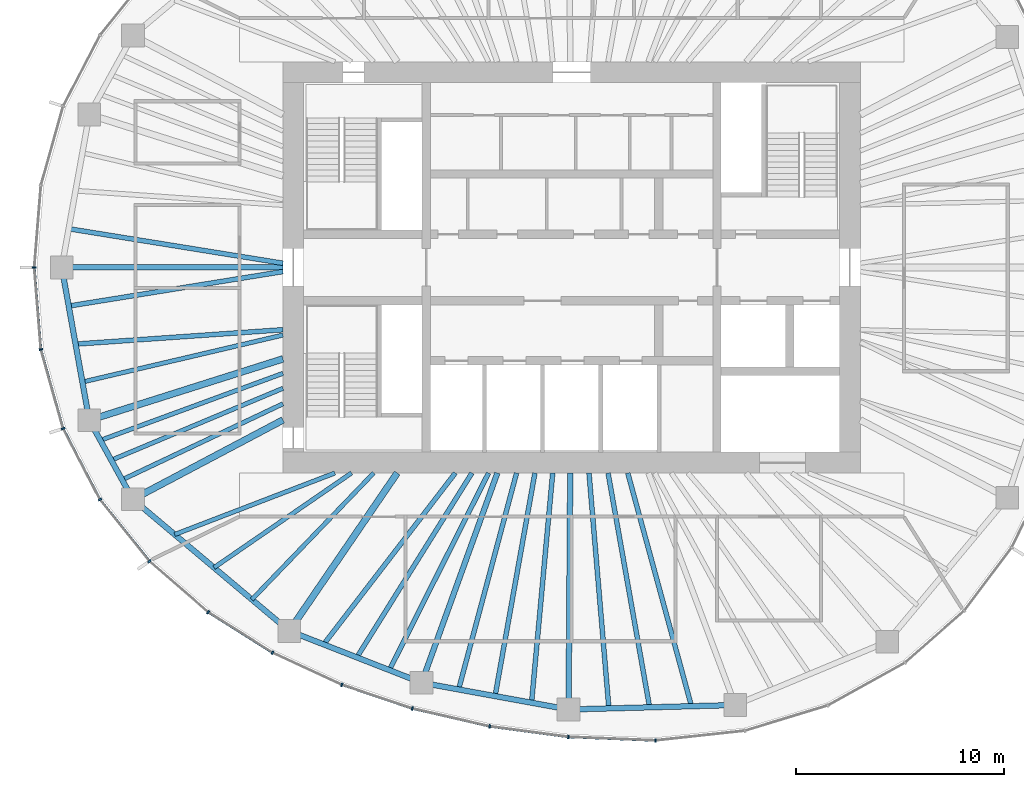
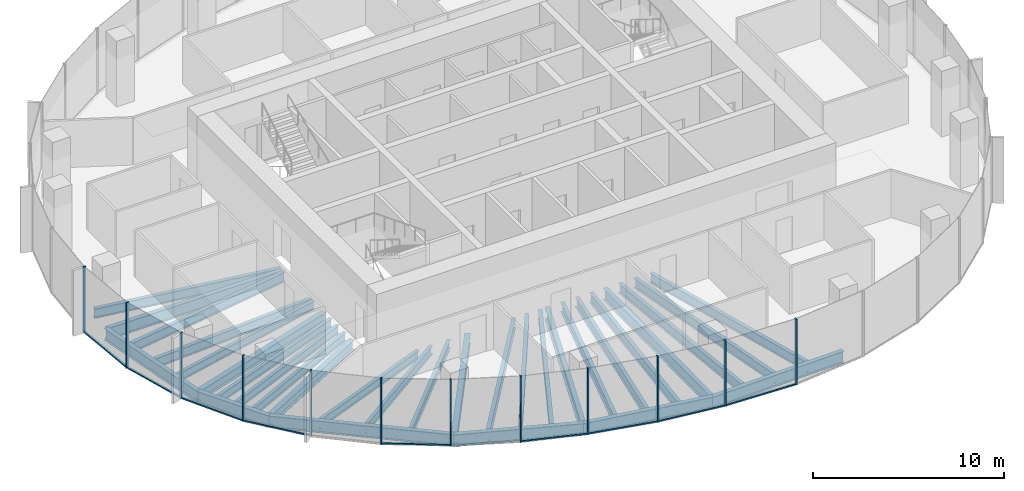
# One storey, part 2 of 11: 31 beams, 21 members, 6 elements without a shape of their own.
"""IFC4 building model written with IfcOpenShell, lengths in metres."""

from ifc_helpers import new_model, si_unit, direction, frame, origin, origin_2d, place, context, subcontext, project, spatial, rectangle, i_section, extrude, material, material_profile, profile_set, type_object, element, aggregate, save


model = new_model("IFC4")

# Units and contexts
model_context = context("Model", 3, precision=1e-05, world=origin(), true_north=direction((0.0, 1.0)))
body_context = subcontext(model_context, "Body", "Model", "MODEL_VIEW")
ifc_project = project(units=[si_unit("LENGTHUNIT", "METRE"), si_unit("AREAUNIT", "SQUARE_METRE"), si_unit("VOLUMEUNIT", "CUBIC_METRE"), si_unit("PLANEANGLEUNIT", "RADIAN"), si_unit("MASSUNIT", "GRAM", prefix="KILO")], contexts=[model_context])

# Site, building, storey
site_placement = place(None, origin())
site = spatial("IfcSite", under=ifc_project, at=site_placement, CompositionType="ELEMENT")
building_placement = place(site_placement, origin())
building = spatial("IfcBuilding", under=site, at=building_placement, Name="Ghaith Harvest Tower", CompositionType="ELEMENT")
storey_placement = place(building_placement, frame((0.0, 0.0, 279.60009765625)))
storey = spatial("IfcBuildingStorey", under=building, at=storey_placement, Name="L62", CompositionType="ELEMENT", Elevation=279.60009765625)

# Curtain wall, members
ifc_material_1 = material(Name="Black anodised aluminium and fritted glass", Category="aluminium")
curtain_wall_type = type_object("IfcCurtainWallType", Name="CW-T CURTAIN WALL", PredefinedType="NOTDEFINED", material=ifc_material_1)
curtain_wall_1_placement = place(storey_placement, origin())
curtain_wall_1 = element("IfcCurtainWall", 1, at=curtain_wall_1_placement, inside=storey, type_object=curtain_wall_type, Name="Curtain wall CW-T bay 11 L62", PredefinedType="NOTDEFINED")
ifc_material_2 = material(Name="Aluminium, black anodised", Category="aluminium")
ifc_material_profile_1 = material_profile(ifc_material_2, rectangle(XDim=0.080078125, YDim=0.179931640625, at=origin_2d()), Name="CW-T MULLION 80x180")
ifc_profile_set_1 = profile_set([ifc_material_profile_1], Name="Aluminium, black anodised")
member_type_1 = type_object("IfcMemberType", Name="CW-T MULLION 80x180", PredefinedType="MULLION", material=ifc_profile_set_1)
member_1_placement = place(storey_placement, frame((-25.8701171875, 0.0, 0.0), z_axis=(0.0, 0.0, 1.0), x_axis=(-1.05e-10, -1.0, 0.0)))
member_1 = element("IfcMember", 2, at=member_1_placement, type_object=member_type_1, Name="CW-T mullion 1 bay 11 L62", PredefinedType="MULLION", context=body_context, shape_type="SweptSolid", body=[
    extrude(rectangle(XDim=0.080078125, YDim=0.179931640625, at=origin_2d()), origin(), (0.0, 0.0, 1.0), 4.199951171875),
])
member_2_placement = place(storey_placement, frame((-25.5517578125, -3.9521484375, 0.0), z_axis=(0.0, 0.0, 1.0), x_axis=(0.176001391003, -0.98438991785, 0.0)))
member_2 = element("IfcMember", 3, at=member_2_placement, type_object=member_type_1, Name="CW-T mullion 2 bay 11 L62", PredefinedType="MULLION", context=body_context, shape_type="SweptSolid", body=[
    extrude(rectangle(XDim=0.080078125, YDim=0.179931640625, at=origin_2d()), origin(), (0.0, 0.0, 1.0), 4.199951171875),
])

curtain_wall_2_placement = place(storey_placement, origin())
curtain_wall_2 = element("IfcCurtainWall", 4, at=curtain_wall_2_placement, inside=storey, type_object=curtain_wall_type, Name="Curtain wall CW-T bay 12 L62", PredefinedType="NOTDEFINED")
member_3_placement = place(storey_placement, frame((-24.482666015625, -7.759033203125, 0.0), z_axis=(0.0, 0.0, 1.0), x_axis=(0.366473104734, -0.930428645038, 0.0)))
member_3 = element("IfcMember", 5, at=member_3_placement, type_object=member_type_1, Name="CW-T mullion 1 bay 12 L62", PredefinedType="MULLION", context=body_context, shape_type="SweptSolid", body=[
    extrude(rectangle(XDim=0.080078125, YDim=0.179931640625, at=origin_2d()), origin(), (0.0, 0.0, 1.0), 4.199951171875),
])
member_4_placement = place(storey_placement, frame((-22.706298828125, -11.176513671875, 0.0), z_axis=(0.0, 0.0, 1.0), x_axis=(0.545865412431, -0.837872873121, 0.0)))
member_4 = element("IfcMember", 6, at=member_4_placement, type_object=member_type_1, Name="CW-T mullion 2 bay 12 L62", PredefinedType="MULLION", context=body_context, shape_type="SweptSolid", body=[
    extrude(rectangle(XDim=0.080078125, YDim=0.179931640625, at=origin_2d()), origin(), (0.0, 0.0, 1.0), 4.199951171875),
])

curtain_wall_3_placement = place(storey_placement, origin())
curtain_wall_3 = element("IfcCurtainWall", 7, at=curtain_wall_3_placement, inside=storey, type_object=curtain_wall_type, Name="Curtain wall CW-T bay 13 L62", PredefinedType="NOTDEFINED")
member_5_placement = place(storey_placement, frame((-20.324462890625, -14.141845703125, 0.0), z_axis=(0.0, 0.0, 1.0), x_axis=(0.692826491831, -0.721104328248, 0.0)))
member_5 = element("IfcMember", 8, at=member_5_placement, type_object=member_type_1, Name="CW-T mullion 1 bay 13 L62", PredefinedType="MULLION", context=body_context, shape_type="SweptSolid", body=[
    extrude(rectangle(XDim=0.080078125, YDim=0.179931640625, at=origin_2d()), origin(), (0.0, 0.0, 1.0), 4.199951171875),
])
member_6_placement = place(storey_placement, frame((-17.49462890625, -16.600830078125, 0.0), z_axis=(0.0, 0.0, 1.0), x_axis=(0.802189888845, -0.59706899286, 0.0)))
member_6 = element("IfcMember", 9, at=member_6_placement, type_object=member_type_1, Name="CW-T mullion 2 bay 13 L62", PredefinedType="MULLION", context=body_context, shape_type="SweptSolid", body=[
    extrude(rectangle(XDim=0.080078125, YDim=0.179931640625, at=origin_2d()), origin(), (0.0, 0.0, 1.0), 4.199951171875),
])

curtain_wall_4_placement = place(storey_placement, origin())
curtain_wall_4 = element("IfcCurtainWall", 10, at=curtain_wall_4_placement, inside=storey, type_object=curtain_wall_type, Name="Curtain wall CW-T bay 14 L62", PredefinedType="NOTDEFINED")
member_7_placement = place(storey_placement, frame((-14.40478515625, -18.5478515625, 0.0), z_axis=(0.0, 0.0, 1.0), x_axis=(0.878671732732, -0.477426419564, 0.0)))
member_7 = element("IfcMember", 11, at=member_7_placement, type_object=member_type_1, Name="CW-T mullion 1 bay 14 L62", PredefinedType="MULLION", context=body_context, shape_type="SweptSolid", body=[
    extrude(rectangle(XDim=0.080078125, YDim=0.179931640625, at=origin_2d()), origin(), (0.0, 0.0, 1.0), 4.199951171875),
])
member_8_placement = place(storey_placement, frame((-11.0673828125, -20.093017578125, 0.0), z_axis=(0.0, 0.0, 1.0), x_axis=(0.92862442092, -0.371021138038, 0.0)))
member_8 = element("IfcMember", 12, at=member_8_placement, type_object=member_type_1, Name="CW-T mullion 2 bay 14 L62", PredefinedType="MULLION", context=body_context, shape_type="SweptSolid", body=[
    extrude(rectangle(XDim=0.080078125, YDim=0.179931640625, at=origin_2d()), origin(), (0.0, 0.0, 1.0), 4.199951171875),
])

curtain_wall_5_placement = place(storey_placement, origin())
curtain_wall_5 = element("IfcCurtainWall", 13, at=curtain_wall_5_placement, inside=storey, type_object=curtain_wall_type, Name="Curtain wall CW-T bay 15 L62", PredefinedType="NOTDEFINED")
member_9_placement = place(storey_placement, frame((-7.6708984375, -21.23828125, 0.0), z_axis=(0.0, 0.0, 1.0), x_axis=(0.962552491659, -0.271095372151, 0.0)))
member_9 = element("IfcMember", 14, at=member_9_placement, type_object=member_type_1, Name="CW-T mullion 1 bay 15 L62", PredefinedType="MULLION", context=body_context, shape_type="SweptSolid", body=[
    extrude(rectangle(XDim=0.080078125, YDim=0.179931640625, at=origin_2d()), origin(), (0.0, 0.0, 1.0), 4.199951171875),
])
member_10_placement = place(storey_placement, frame((-3.946533203125, -22.0986328125, 0.0), z_axis=(0.0, 0.0, 1.0), x_axis=(0.983843447712, -0.179030920217, 0.0)))
member_10 = element("IfcMember", 15, at=member_10_placement, type_object=member_type_1, Name="CW-T mullion 2 bay 15 L62", PredefinedType="MULLION", context=body_context, shape_type="SweptSolid", body=[
    extrude(rectangle(XDim=0.080078125, YDim=0.179931640625, at=origin_2d()), origin(), (0.0, 0.0, 1.0), 4.199951171875),
])

curtain_wall_6_placement = place(storey_placement, origin())
curtain_wall_6 = element("IfcCurtainWall", 16, at=curtain_wall_6_placement, inside=storey, type_object=curtain_wall_type, Name="Curtain wall CW-T bay 16 L62", PredefinedType="NOTDEFINED")
member_11_placement = place(storey_placement, frame((-0.15478515625, -22.60595703125, 0.0), z_axis=(0.0, 0.0, 1.0), x_axis=(0.996414855524, -0.084601629366, 0.0)))
member_11 = element("IfcMember", 17, at=member_11_placement, type_object=member_type_1, Name="CW-T mullion 1 bay 16 L62", PredefinedType="MULLION", context=body_context, shape_type="SweptSolid", body=[
    extrude(rectangle(XDim=0.080078125, YDim=0.179931640625, at=origin_2d()), origin(), (0.0, 0.0, 1.0), 4.199951171875),
])
member_12_placement = place(storey_placement, frame((4.037841796875, -22.776611328125, 0.0), z_axis=(0.0, 0.0, 1.0), x_axis=(0.999388631241, 0.034962318939, 0.0)))
member_12 = element("IfcMember", 18, at=member_12_placement, type_object=member_type_1, Name="CW-T mullion 2 bay 16 L62", PredefinedType="MULLION", context=body_context, shape_type="SweptSolid", body=[
    extrude(rectangle(XDim=0.080078125, YDim=0.179931640625, at=origin_2d()), origin(), (0.0, 0.0, 1.0), 4.199951171875),
])

# Member
ifc_material_3 = material(Name="Aluminium, black anodised", Category="aluminium")
ifc_material_profile_2 = material_profile(ifc_material_3, rectangle(XDim=0.1201171875, YDim=0.080078125, at=origin_2d()), Name="CW-T TRANSOM 120x80")
ifc_profile_set_2 = profile_set([ifc_material_profile_2], Name="Aluminium, black anodised")
member_type_2 = type_object("IfcMemberType", Name="CW-T TRANSOM 120x80", PredefinedType="USERDEFINED", material=ifc_profile_set_2)
member_13_placement = place(storey_placement, frame((-25.86669921875, -0.039794921875, 0.039794921875), z_axis=(0.08025226314, -0.996774585481, 0.0), x_axis=(0.996774585481, 0.08025226314, 0.0)))
member_13 = element("IfcMember", 19, at=member_13_placement, type_object=member_type_2, Name="CW-T transom 1 bay 11 L62", ObjectType="TRANSOM", PredefinedType="USERDEFINED", context=body_context, shape_type="SweptSolid", body=[
    extrude(rectangle(XDim=0.1201171875, YDim=0.080078125, at=origin_2d()), origin(), (0.0, 0.0, 1.0), 3.884765625),
])

member_14_placement = place(storey_placement, frame((-25.541015625, -3.990478515625, 0.039794921875), z_axis=(0.270340422972, -0.962764797709, 0.0), x_axis=(0.962764797709, 0.270340422972, 0.0)))
member_14 = element("IfcMember", 20, at=member_14_placement, type_object=member_type_2, Name="CW-T transom 2 bay 11 L62", ObjectType="TRANSOM", PredefinedType="USERDEFINED", context=body_context, shape_type="SweptSolid", body=[
    extrude(rectangle(XDim=0.1201171875, YDim=0.080078125, at=origin_2d()), origin(), (0.0, 0.0, 1.0), 3.874267578125),
])

aggregate(curtain_wall_1, [member_1, member_13, member_2, member_14])

member_15_placement = place(storey_placement, frame((-24.46435546875, -7.79443359375, 0.039794921875), z_axis=(0.461242681347, -0.887274021317, 0.0), x_axis=(0.887274021317, 0.461242681347, 0.0)))
member_15 = element("IfcMember", 21, at=member_15_placement, type_object=member_type_2, Name="CW-T transom 1 bay 12 L62", ObjectType="TRANSOM", PredefinedType="USERDEFINED", context=body_context, shape_type="SweptSolid", body=[
    extrude(rectangle(XDim=0.1201171875, YDim=0.080078125, at=origin_2d()), origin(), (0.0, 0.0, 1.0), 3.77197265625),
])

member_16_placement = place(storey_placement, frame((-22.68115234375, -11.207763671875, 0.039794921875), z_axis=(0.626253073761, -0.779619835307, 0.0), x_axis=(0.779619835307, 0.626253073761, 0.0)))
member_16 = element("IfcMember", 22, at=member_16_placement, type_object=member_type_2, Name="CW-T transom 2 bay 12 L62", ObjectType="TRANSOM", PredefinedType="USERDEFINED", context=body_context, shape_type="SweptSolid", body=[
    extrude(rectangle(XDim=0.1201171875, YDim=0.080078125, at=origin_2d()), origin(), (0.0, 0.0, 1.0), 3.723388671875),
])

aggregate(curtain_wall_2, [member_3, member_15, member_4, member_16])

member_17_placement = place(storey_placement, frame((-17.4609375, -16.6220703125, 0.039794921875), z_axis=(0.846053602505, -0.533097835006, 0.0), x_axis=(0.533097835006, 0.846053602505, 0.0)))
member_17 = element("IfcMember", 23, at=member_17_placement, type_object=member_type_2, Name="CW-T transom 2 bay 13 L62", ObjectType="TRANSOM", PredefinedType="USERDEFINED", context=body_context, shape_type="SweptSolid", body=[
    extrude(rectangle(XDim=0.1201171875, YDim=0.080078125, at=origin_2d()), origin(), (0.0, 0.0, 1.0), 3.572021484375),
])

aggregate(curtain_wall_3, [member_5, member_6, member_17])

member_18_placement = place(storey_placement, frame((-11.029541015625, -20.105712890625, 0.039794921875), z_axis=(0.9475698206, -0.319548799228, 0.0), x_axis=(0.319548799228, 0.9475698206, 0.0)))
member_18 = element("IfcMember", 24, at=member_18_placement, type_object=member_type_2, Name="CW-T transom 2 bay 14 L62", ObjectType="TRANSOM", PredefinedType="USERDEFINED", context=body_context, shape_type="SweptSolid", body=[
    extrude(rectangle(XDim=0.1201171875, YDim=0.080078125, at=origin_2d()), origin(), (0.0, 0.0, 1.0), 3.504638671875),
])

aggregate(curtain_wall_4, [member_7, member_8, member_18])

member_19_placement = place(storey_placement, frame((-7.6318359375, -21.247314453125, 0.039794921875), z_axis=(0.974344997799, -0.225059603803, 0.0), x_axis=(0.225059603803, 0.974344997799, 0.0)))
member_19 = element("IfcMember", 25, at=member_19_placement, type_object=member_type_2, Name="CW-T transom 1 bay 15 L62", ObjectType="TRANSOM", PredefinedType="USERDEFINED", context=body_context, shape_type="SweptSolid", body=[
    extrude(rectangle(XDim=0.1201171875, YDim=0.080078125, at=origin_2d()), origin(), (0.0, 0.0, 1.0), 3.742431640625),
])

member_20_placement = place(storey_placement, frame((-3.90673828125, -22.10400390625, 0.039794921875), z_axis=(0.99117202259, -0.132582131655, 0.0), x_axis=(0.132582131655, 0.99117202259, 0.0)))
member_20 = element("IfcMember", 26, at=member_20_placement, type_object=member_type_2, Name="CW-T transom 2 bay 15 L62", ObjectType="TRANSOM", PredefinedType="USERDEFINED", context=body_context, shape_type="SweptSolid", body=[
    extrude(rectangle(XDim=0.1201171875, YDim=0.080078125, at=origin_2d()), origin(), (0.0, 0.0, 1.0), 3.745361328125),
])

aggregate(curtain_wall_5, [member_9, member_19, member_10, member_20])

member_21_placement = place(storey_placement, frame((-0.11474609375, -22.607666015625, 0.039794921875), z_axis=(0.999174207562, -0.040631304968, 0.0), x_axis=(0.040631304968, 0.999174207562, 0.0)))
member_21 = element("IfcMember", 27, at=member_21_placement, type_object=member_type_2, Name="CW-T transom 1 bay 16 L62", ObjectType="TRANSOM", PredefinedType="USERDEFINED", context=body_context, shape_type="SweptSolid", body=[
    extrude(rectangle(XDim=0.1201171875, YDim=0.080078125, at=origin_2d()), origin(), (0.0, 0.0, 1.0), 4.115966796875),
])

aggregate(curtain_wall_6, [member_11, member_21, member_12])

# Beams
ifc_material_4 = material(Name="Steel ASTM A992 Grade 50", Category="steel")
ifc_material_profile_3 = material_profile(ifc_material_4, i_section(OverallWidth=0.26611328125, OverallDepth=0.758056640625, WebThickness=0.013916015625, FlangeThickness=0.019287109375, at=origin_2d()), Name="W760X161")
ifc_profile_set_3 = profile_set([ifc_material_profile_3], Name="Steel ASTM A992 Grade 50")
beam_type_1 = type_object("IfcBeamType", Name="E760-161 W760X161", PredefinedType="SPANDREL", material=ifc_profile_set_3)
beam_1_placement = place(storey_placement, frame((-24.550048828125, 0.0, -0.549072265625), z_axis=(0.177296554745, -0.984157473007, 0.0), x_axis=(0.984157473007, 0.177296554745, 0.0)))
element("IfcBeam", 28, at=beam_1_placement, inside=storey, type_object=beam_type_1, Name="Edge beam E11 L62", PredefinedType="SPANDREL", context=body_context, shape_type="SweptSolid", body=[
    extrude(i_section(OverallWidth=0.26611328125, OverallDepth=0.758056640625, WebThickness=0.013916015625, FlangeThickness=0.019287109375, at=origin_2d()), origin(), (0.0, 0.0, 1.0), 7.478515625),
])
beam_2_placement = place(storey_placement, frame((-23.22412109375, -7.360107421875, -0.549072265625), z_axis=(0.482955575345, -0.875644855089, 0.0), x_axis=(0.875644855089, 0.482955575345, 0.0)))
element("IfcBeam", 29, at=beam_2_placement, inside=storey, type_object=beam_type_1, Name="Edge beam E12 L62", PredefinedType="SPANDREL", context=body_context, shape_type="SweptSolid", body=[
    extrude(i_section(OverallWidth=0.26611328125, OverallDepth=0.758056640625, WebThickness=0.013916015625, FlangeThickness=0.019287109375, at=origin_2d()), origin(), (0.0, 0.0, 1.0), 4.346435546875),
])
beam_3_placement = place(storey_placement, frame((-21.125, -11.166015625, -0.549072265625), z_axis=(0.765021818761, -0.64400436087, 0.0), x_axis=(0.64400436087, 0.765021818761, 0.0)))
element("IfcBeam", 30, at=beam_3_placement, inside=storey, type_object=beam_type_1, Name="Edge beam E13 L62", PredefinedType="SPANDREL", context=body_context, shape_type="SweptSolid", body=[
    extrude(i_section(OverallWidth=0.26611328125, OverallDepth=0.758056640625, WebThickness=0.013916015625, FlangeThickness=0.019287109375, at=origin_2d()), origin(), (0.0, 0.0, 1.0), 9.8427734375),
])
beam_4_placement = place(storey_placement, frame((-13.594970703125, -17.5048828125, -0.549072265625), z_axis=(0.931322768207, -0.364194867371, 0.0), x_axis=(0.364194867371, 0.931322768207, 0.0)))
element("IfcBeam", 31, at=beam_4_placement, inside=storey, type_object=beam_type_1, Name="Edge beam E14 L62", PredefinedType="SPANDREL", context=body_context, shape_type="SweptSolid", body=[
    extrude(i_section(OverallWidth=0.26611328125, OverallDepth=0.758056640625, WebThickness=0.013916015625, FlangeThickness=0.019287109375, at=origin_2d()), origin(), (0.0, 0.0, 1.0), 6.843017578125),
])
beam_5_placement = place(storey_placement, frame((-7.221923828125, -19.9970703125, -0.549072265625), z_axis=(0.983813921429, -0.179193102551, 0.0), x_axis=(0.179193102551, 0.983813921429, 0.0)))
element("IfcBeam", 32, at=beam_5_placement, inside=storey, type_object=beam_type_1, Name="Edge beam E15 L62", PredefinedType="SPANDREL", context=body_context, shape_type="SweptSolid", body=[
    extrude(i_section(OverallWidth=0.26611328125, OverallDepth=0.758056640625, WebThickness=0.013916015625, FlangeThickness=0.019287109375, at=origin_2d()), origin(), (0.0, 0.0, 1.0), 7.1923828125),
])
beam_6_placement = place(storey_placement, frame((-0.14599609375, -21.285888671875, -0.549072265625), z_axis=(0.999644979696, 0.02664422206, 0.0), x_axis=(-0.02664422206, 0.999644979696, 0.0)))
element("IfcBeam", 33, at=beam_6_placement, inside=storey, type_object=beam_type_1, Name="Edge beam E16 L62", PredefinedType="SPANDREL", context=body_context, shape_type="SweptSolid", body=[
    extrude(i_section(OverallWidth=0.26611328125, OverallDepth=0.758056640625, WebThickness=0.013916015625, FlangeThickness=0.019287109375, at=origin_2d()), origin(), (0.0, 0.0, 1.0), 8.02685546875),
])
ifc_material_5 = material(Name="Steel ASTM A992 Grade 50", Category="steel")
ifc_material_profile_4 = material_profile(ifc_material_5, i_section(OverallWidth=0.323974609375, OverallDepth=0.611083984375, WebThickness=0.0126953125, FlangeThickness=0.01904296875, at=origin_2d()), Name="W610X155")
ifc_profile_set_4 = profile_set([ifc_material_profile_4], Name="Steel ASTM A992 Grade 50")
beam_type_2 = type_object("IfcBeamType", Name="G610-155 W610X155", PredefinedType="BEAM", material=ifc_profile_set_4)
beam_7_placement = place(storey_placement, frame((-13.89990234375, -4.4052734375, -0.4755859375), z_axis=(-0.953278508772, -0.302092841215, 0.0), x_axis=(0.302092841215, -0.953278508772, 0.0)))
element("IfcBeam", 34, at=beam_7_placement, inside=storey, type_object=beam_type_2, Name="Radial girder G12 L62", PredefinedType="BEAM", context=body_context, shape_type="SweptSolid", body=[
    extrude(i_section(OverallWidth=0.323974609375, OverallDepth=0.611083984375, WebThickness=0.0126953125, FlangeThickness=0.01904296875, at=origin_2d()), origin(), (0.0, 0.0, 1.0), 9.78125),
])
beam_8_placement = place(storey_placement, frame((-13.89990234375, -7.34716796875, -0.4755859375), z_axis=(-0.88410164037, -0.467294649546, 0.0), x_axis=(0.467294649546, -0.88410164037, 0.0)))
element("IfcBeam", 35, at=beam_8_placement, inside=storey, type_object=beam_type_2, Name="Radial girder G13 L62", PredefinedType="BEAM", context=body_context, shape_type="SweptSolid", body=[
    extrude(i_section(OverallWidth=0.323974609375, OverallDepth=0.611083984375, WebThickness=0.0126953125, FlangeThickness=0.01904296875, at=origin_2d()), origin(), (0.0, 0.0, 1.0), 8.17236328125),
])
beam_9_placement = place(storey_placement, frame((-8.39990234375, -9.89990234375, -0.4755859375), z_axis=(-0.564067018201, -0.825729010619, 0.0), x_axis=(0.825729010619, -0.564067018201, 0.0)))
element("IfcBeam", 36, at=beam_9_placement, inside=storey, type_object=beam_type_2, Name="Radial girder G14 L62", PredefinedType="BEAM", context=body_context, shape_type="SweptSolid", body=[
    extrude(i_section(OverallWidth=0.323974609375, OverallDepth=0.611083984375, WebThickness=0.0126953125, FlangeThickness=0.01904296875, at=origin_2d()), origin(), (0.0, 0.0, 1.0), 9.2099609375),
])
ifc_material_6 = material(Name="Steel ASTM A992 Grade 50", Category="steel")
ifc_material_profile_5 = material_profile(ifc_material_6, i_section(OverallWidth=0.26611328125, OverallDepth=0.758056640625, WebThickness=0.013916015625, FlangeThickness=0.019287109375, at=origin_2d()), Name="W760X161")
ifc_profile_set_5 = profile_set([ifc_material_profile_5], Name="Steel ASTM A992 Grade 50")
beam_type_3 = type_object("IfcBeamType", Name="G760-161 W760X161", PredefinedType="BEAM", material=ifc_profile_set_5)
beam_10_placement = place(storey_placement, frame((-13.89990234375, 0.0, -0.549072265625), z_axis=(-1.0, 0.0, 0.0), x_axis=(0.0, -1.0, 0.0)))
element("IfcBeam", 37, at=beam_10_placement, inside=storey, type_object=beam_type_3, Name="Radial girder G11 L62", PredefinedType="BEAM", context=body_context, shape_type="SweptSolid", body=[
    extrude(i_section(OverallWidth=0.26611328125, OverallDepth=0.758056640625, WebThickness=0.013916015625, FlangeThickness=0.019287109375, at=origin_2d()), origin(), (0.0, 0.0, 1.0), 10.650146484375),
])
beam_11_placement = place(storey_placement, frame((-3.57568359375, -9.89990234375, -0.549072265625), z_axis=(-0.339647816823, -0.940552688863, 0.0), x_axis=(0.940552688863, -0.339647816823, 0.0)))
element("IfcBeam", 38, at=beam_11_placement, inside=storey, type_object=beam_type_3, Name="Radial girder G15 L62", PredefinedType="BEAM", context=body_context, shape_type="SweptSolid", body=[
    extrude(i_section(OverallWidth=0.26611328125, OverallDepth=0.758056640625, WebThickness=0.013916015625, FlangeThickness=0.019287109375, at=origin_2d()), origin(), (0.0, 0.0, 1.0), 10.7353515625),
])
beam_12_placement = place(storey_placement, frame((-0.06787109375, -9.89990234375, -0.549072265625), z_axis=(-0.006861343299, -0.999976460707, 0.0), x_axis=(0.999976460707, -0.006861343299, 0.0)))
element("IfcBeam", 39, at=beam_12_placement, inside=storey, type_object=beam_type_3, Name="Radial girder G16 L62", PredefinedType="BEAM", context=body_context, shape_type="SweptSolid", body=[
    extrude(i_section(OverallWidth=0.26611328125, OverallDepth=0.758056640625, WebThickness=0.013916015625, FlangeThickness=0.019287109375, at=origin_2d()), origin(), (0.0, 0.0, 1.0), 11.38623046875),
])
ifc_material_7 = material(Name="Steel ASTM A992 Grade 50", Category="steel")
ifc_material_profile_6 = material_profile(ifc_material_7, i_section(OverallWidth=0.2109375, OverallDepth=0.5390625, WebThickness=0.01171875, FlangeThickness=0.018798828125, at=origin_2d()), Name="W530X109")
ifc_profile_set_6 = profile_set([ifc_material_profile_6], Name="Steel ASTM A992 Grade 50")
beam_type_4 = type_object("IfcBeamType", Name="J530-109 W530X109", PredefinedType="JOIST", material=ifc_profile_set_6)
beam_13_placement = place(storey_placement, frame((-13.89990234375, -3.257080078125, -0.439697265625), z_axis=(-0.973623403271, -0.228161058472, 0.0), x_axis=(0.228161058472, -0.973623403271, 0.0)))
element("IfcBeam", 40, at=beam_13_placement, inside=storey, type_object=beam_type_4, Name="Joist J11.3 L62", PredefinedType="JOIST", context=body_context, shape_type="SweptSolid", body=[
    extrude(i_section(OverallWidth=0.2109375, OverallDepth=0.5390625, WebThickness=0.01171875, FlangeThickness=0.018798828125, at=origin_2d()), origin(), (0.0, 0.0, 1.0), 9.9169921875),
])
beam_14_placement = place(storey_placement, frame((-13.89990234375, -5.101318359375, -0.439697265625), z_axis=(-0.938776837502, -0.34452583266, 0.0), x_axis=(0.34452583266, -0.938776837502, 0.0)))
element("IfcBeam", 41, at=beam_14_placement, inside=storey, type_object=beam_type_4, Name="Joist J12.1 L62", PredefinedType="JOIST", context=body_context, shape_type="SweptSolid", body=[
    extrude(i_section(OverallWidth=0.2109375, OverallDepth=0.5390625, WebThickness=0.01171875, FlangeThickness=0.018798828125, at=origin_2d()), origin(), (0.0, 0.0, 1.0), 9.36376953125),
])
beam_15_placement = place(storey_placement, frame((-13.89990234375, -5.82080078125, -0.439697265625), z_axis=(-0.922394258818, -0.38624970071, 0.0), x_axis=(0.38624970071, -0.922394258818, 0.0)))
element("IfcBeam", 42, at=beam_15_placement, inside=storey, type_object=beam_type_4, Name="Joist J12.2 L62", PredefinedType="JOIST", context=body_context, shape_type="SweptSolid", body=[
    extrude(i_section(OverallWidth=0.2109375, OverallDepth=0.5390625, WebThickness=0.01171875, FlangeThickness=0.018798828125, at=origin_2d()), origin(), (0.0, 0.0, 1.0), 8.959716796875),
])
beam_16_placement = place(storey_placement, frame((-13.89990234375, -6.56787109375, -0.439697265625), z_axis=(-0.904165769726, -0.427181765594, 0.0), x_axis=(0.427181765594, -0.904165769726, 0.0)))
element("IfcBeam", 43, at=beam_16_placement, inside=storey, type_object=beam_type_4, Name="Joist J12.3 L62", PredefinedType="JOIST", context=body_context, shape_type="SweptSolid", body=[
    extrude(i_section(OverallWidth=0.2109375, OverallDepth=0.5390625, WebThickness=0.01171875, FlangeThickness=0.018798828125, at=origin_2d()), origin(), (0.0, 0.0, 1.0), 8.564208984375),
])
beam_17_placement = place(storey_placement, frame((-11.39990234375, -9.89990234375, -0.439697265625), z_axis=(-0.933583045329, -0.358361127181, 0.0), x_axis=(0.358361127181, -0.933583045329, 0.0)))
element("IfcBeam", 44, at=beam_17_placement, inside=storey, type_object=beam_type_4, Name="Joist J13.1 L62", PredefinedType="JOIST", context=body_context, shape_type="SweptSolid", body=[
    extrude(i_section(OverallWidth=0.2109375, OverallDepth=0.5390625, WebThickness=0.01171875, FlangeThickness=0.018798828125, at=origin_2d()), origin(), (0.0, 0.0, 1.0), 8.260986328125),
])
beam_18_placement = place(storey_placement, frame((-10.60009765625, -9.89990234375, -0.439697265625), z_axis=(-0.823778502511, -0.566911791023, 0.0), x_axis=(0.566911791023, -0.823778502511, 0.0)))
element("IfcBeam", 45, at=beam_18_placement, inside=storey, type_object=beam_type_4, Name="Joist J13.2 L62", PredefinedType="JOIST", context=body_context, shape_type="SweptSolid", body=[
    extrude(i_section(OverallWidth=0.2109375, OverallDepth=0.5390625, WebThickness=0.01171875, FlangeThickness=0.018798828125, at=origin_2d()), origin(), (0.0, 0.0, 1.0), 8.0341796875),
])
beam_19_placement = place(storey_placement, frame((-9.530517578125, -9.89990234375, -0.439697265625), z_axis=(-0.693536238632, -0.720421741554, 0.0), x_axis=(0.720421741554, -0.693536238632, 0.0)))
element("IfcBeam", 46, at=beam_19_placement, inside=storey, type_object=beam_type_4, Name="Joist J13.3 L62", PredefinedType="JOIST", context=body_context, shape_type="SweptSolid", body=[
    extrude(i_section(OverallWidth=0.2109375, OverallDepth=0.5390625, WebThickness=0.01171875, FlangeThickness=0.018798828125, at=origin_2d()), origin(), (0.0, 0.0, 1.0), 8.4541015625),
])
ifc_material_8 = material(Name="Steel ASTM A992 Grade 50", Category="steel")
ifc_material_profile_7 = material_profile(ifc_material_8, i_section(OverallWidth=0.22998046875, OverallDepth=0.616943359375, WebThickness=0.01318359375, FlangeThickness=0.022216796875, at=origin_2d()), Name="W610X140")
ifc_profile_set_7 = profile_set([ifc_material_profile_7], Name="Steel ASTM A992 Grade 50")
beam_type_5 = type_object("IfcBeamType", Name="J610-140 W610X140", PredefinedType="JOIST", material=ifc_profile_set_7)
for number, where, z_axis, x_axis, name in (
    (47, (-13.89990234375, 0.199951171875, -0.478515625), (-0.987271793524, 0.159042150743, 0.0), (-0.159042150743, -0.987271793524, 0.0), "Joist J10.3 L62"),
    (48, (-13.89990234375, -0.199951171875, -0.478515625), (-0.987271793524, -0.159042150743, 0.0), (0.159042150743, -0.987271793524, 0.0), "Joist J11.1 L62"),
):
    element("IfcBeam", number, at=place(storey_placement, frame(where, z_axis=z_axis, x_axis=x_axis)), inside=storey, type_object=beam_type_5, Name=name, PredefinedType="JOIST", context=body_context, shape_type="SweptSolid", body=[
        extrude(i_section(OverallWidth=0.22998046875, OverallDepth=0.616943359375, WebThickness=0.01318359375, FlangeThickness=0.022216796875, at=origin_2d()), origin(), (0.0, 0.0, 1.0), 10.44775390625),
    ])
beam_20_placement = place(storey_placement, frame((-13.89990234375, -3.0, -0.478515625), z_axis=(-0.997592478057, -0.069348739886, 0.0), x_axis=(0.069348739886, -0.997592478057, 0.0)))
element("IfcBeam", 49, at=beam_20_placement, inside=storey, type_object=beam_type_5, Name="Joist J11.2 L62", PredefinedType="JOIST", context=body_context, shape_type="SweptSolid", body=[
    extrude(i_section(OverallWidth=0.22998046875, OverallDepth=0.616943359375, WebThickness=0.01318359375, FlangeThickness=0.022216796875, at=origin_2d()), origin(), (0.0, 0.0, 1.0), 10.0087890625),
])
beam_21_placement = place(storey_placement, frame((-5.60009765625, -9.89990234375, -0.478515625), z_axis=(-0.609353577926, -0.792898617144, 0.0), x_axis=(0.792898617144, -0.609353577926, 0.0)))
element("IfcBeam", 50, at=beam_21_placement, inside=storey, type_object=beam_type_5, Name="Joist J14.1 L62", PredefinedType="JOIST", context=body_context, shape_type="SweptSolid", body=[
    extrude(i_section(OverallWidth=0.22998046875, OverallDepth=0.616943359375, WebThickness=0.01318359375, FlangeThickness=0.022216796875, at=origin_2d()), origin(), (0.0, 0.0, 1.0), 10.406982421875),
])
beam_22_placement = place(storey_placement, frame((-4.800048828125, -9.89990234375, -0.478515625), z_axis=(-0.529596254905, -0.848249849273, 0.0), x_axis=(0.848249849273, -0.529596254905, 0.0)))
element("IfcBeam", 51, at=beam_22_placement, inside=storey, type_object=beam_type_5, Name="Joist J14.2 L62", PredefinedType="JOIST", context=body_context, shape_type="SweptSolid", body=[
    extrude(i_section(OverallWidth=0.22998046875, OverallDepth=0.616943359375, WebThickness=0.01318359375, FlangeThickness=0.022216796875, at=origin_2d()), origin(), (0.0, 0.0, 1.0), 10.465087890625),
])
beam_23_placement = place(storey_placement, frame((-4.0, -9.89990234375, -0.478515625), z_axis=(-0.449556131123, -0.893252083664, 0.0), x_axis=(0.893252083664, -0.449556131123, 0.0)))
element("IfcBeam", 52, at=beam_23_placement, inside=storey, type_object=beam_type_5, Name="Joist J14.3 L62", PredefinedType="JOIST", context=body_context, shape_type="SweptSolid", body=[
    extrude(i_section(OverallWidth=0.22998046875, OverallDepth=0.616943359375, WebThickness=0.01318359375, FlangeThickness=0.022216796875, at=origin_2d()), origin(), (0.0, 0.0, 1.0), 10.62353515625),
])
beam_24_placement = place(storey_placement, frame((-2.651123046875, -9.89990234375, -0.478515625), z_axis=(-0.258678019609, -0.965963602923, 0.0), x_axis=(0.965963602923, -0.258678019609, 0.0)))
element("IfcBeam", 53, at=beam_24_placement, inside=storey, type_object=beam_type_5, Name="Joist J15.1 L62", PredefinedType="JOIST", context=body_context, shape_type="SweptSolid", body=[
    extrude(i_section(OverallWidth=0.22998046875, OverallDepth=0.616943359375, WebThickness=0.01318359375, FlangeThickness=0.022216796875, at=origin_2d()), origin(), (0.0, 0.0, 1.0), 10.78857421875),
])
beam_25_placement = place(storey_placement, frame((-1.76806640625, -9.89990234375, -0.478515625), z_axis=(-0.175803029262, -0.984425362789, 0.0), x_axis=(0.984425362789, -0.175803029262, 0.0)))
element("IfcBeam", 54, at=beam_25_placement, inside=storey, type_object=beam_type_5, Name="Joist J15.2 L62", PredefinedType="JOIST", context=body_context, shape_type="SweptSolid", body=[
    extrude(i_section(OverallWidth=0.22998046875, OverallDepth=0.616943359375, WebThickness=0.01318359375, FlangeThickness=0.022216796875, at=origin_2d()), origin(), (0.0, 0.0, 1.0), 10.9111328125),
])
beam_26_placement = place(storey_placement, frame((-0.9111328125, -9.89990234375, -0.478515625), z_axis=(-0.091651380942, -0.995791154998, 0.0), x_axis=(0.995791154998, -0.091651380942, 0.0)))
element("IfcBeam", 55, at=beam_26_placement, inside=storey, type_object=beam_type_5, Name="Joist J15.3 L62", PredefinedType="JOIST", context=body_context, shape_type="SweptSolid", body=[
    extrude(i_section(OverallWidth=0.22998046875, OverallDepth=0.616943359375, WebThickness=0.01318359375, FlangeThickness=0.022216796875, at=origin_2d()), origin(), (0.0, 0.0, 1.0), 11.10791015625),
])
beam_27_placement = place(storey_placement, frame((0.836669921875, -9.89990234375, -0.478515625), z_axis=(0.084201795166, -0.996448723061, 0.0), x_axis=(0.996448723061, 0.084201795166, 0.0)))
element("IfcBeam", 56, at=beam_27_placement, inside=storey, type_object=beam_type_5, Name="Joist J16.1 L62", PredefinedType="JOIST", context=body_context, shape_type="SweptSolid", body=[
    extrude(i_section(OverallWidth=0.22998046875, OverallDepth=0.616943359375, WebThickness=0.01318359375, FlangeThickness=0.022216796875, at=origin_2d()), origin(), (0.0, 0.0, 1.0), 11.37451171875),
])
beam_28_placement = place(storey_placement, frame((1.7548828125, -9.89990234375, -0.478515625), z_axis=(0.174572943493, -0.98464424408, 0.0), x_axis=(0.98464424408, 0.174572943493, 0.0)))
element("IfcBeam", 57, at=beam_28_placement, inside=storey, type_object=beam_type_5, Name="Joist J16.2 L62", PredefinedType="JOIST", context=body_context, shape_type="SweptSolid", body=[
    extrude(i_section(OverallWidth=0.22998046875, OverallDepth=0.616943359375, WebThickness=0.01318359375, FlangeThickness=0.022216796875, at=origin_2d()), origin(), (0.0, 0.0, 1.0), 11.4580078125),
])
beam_29_placement = place(storey_placement, frame((2.70361328125, -9.89990234375, -0.478515625), z_axis=(0.263468802698, -0.964667916956, 0.0), x_axis=(0.964667916956, 0.263468802698, 0.0)))
element("IfcBeam", 58, at=beam_29_placement, inside=storey, type_object=beam_type_5, Name="Joist J16.3 L62", PredefinedType="JOIST", context=body_context, shape_type="SweptSolid", body=[
    extrude(i_section(OverallWidth=0.22998046875, OverallDepth=0.616943359375, WebThickness=0.01318359375, FlangeThickness=0.022216796875, at=origin_2d()), origin(), (0.0, 0.0, 1.0), 11.639404296875),
])

save(model, "model.ifc")
